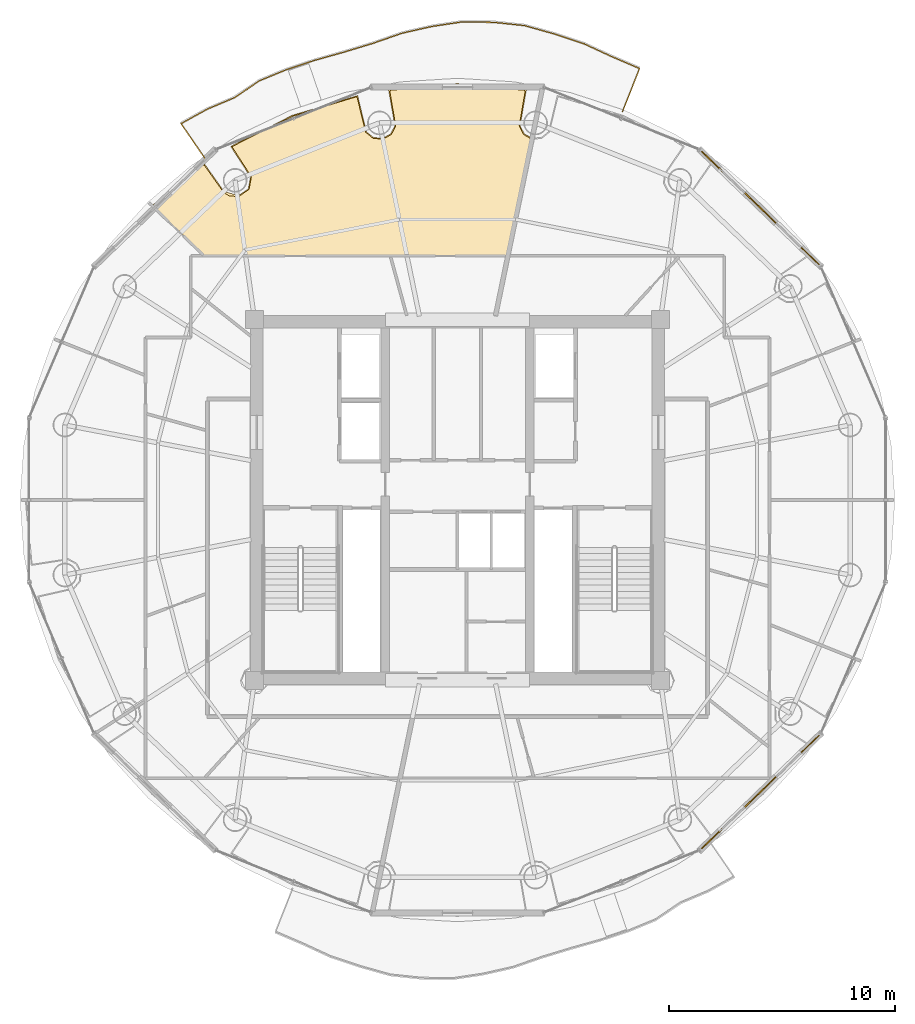
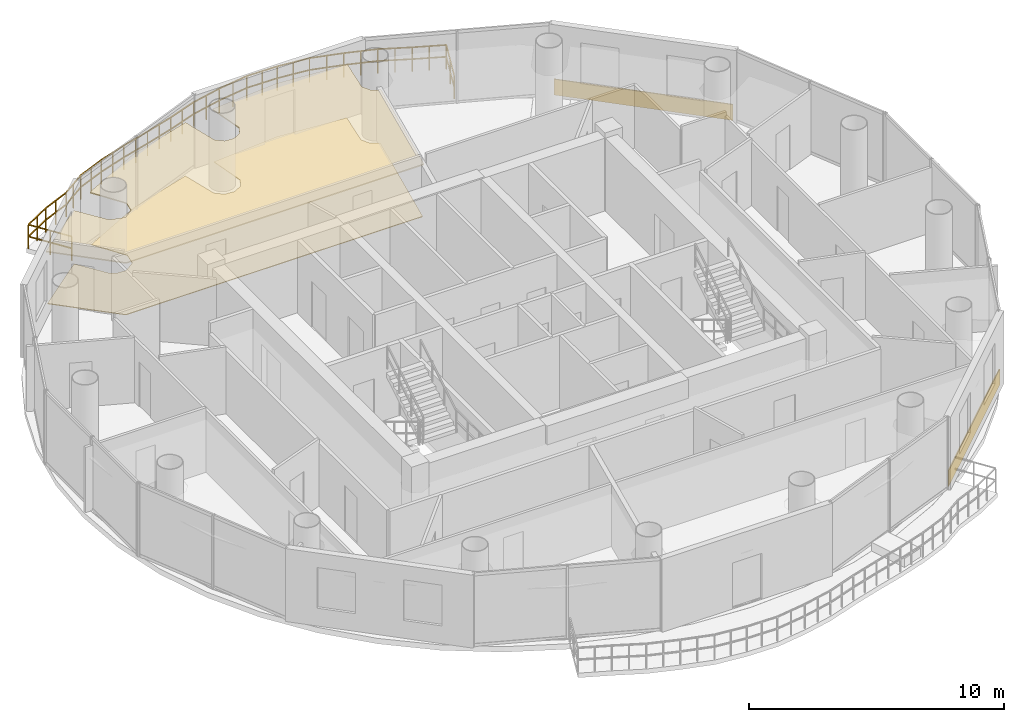
# One storey, part 21 of 21: 4 coverings, 1 railing.
"""IFC4 building model written with IfcOpenShell, lengths in metres."""

from ifc_helpers import new_model, si_unit, direction, frame, origin, origin_2d, place, context, subcontext, project, spatial, polyline, rectangle, outline, extrude, source, transform, mapped, material, layer, layer_set, type_object, element, save


model = new_model("IFC4")

# Units and contexts
model_context = context("Model", 3, precision=1e-05, world=origin(), true_north=direction((-0.2419218956, 0.970295726276)))
body_context = subcontext(model_context, "Body", "Model", "MODEL_VIEW")
ifc_project = project(units=[si_unit("LENGTHUNIT", "METRE"), si_unit("AREAUNIT", "SQUARE_METRE"), si_unit("VOLUMEUNIT", "CUBIC_METRE"), si_unit("PLANEANGLEUNIT", "RADIAN"), si_unit("MASSUNIT", "GRAM", prefix="KILO")], contexts=[model_context])

# Site, building, storey
site_placement = place(None, origin())
site = spatial("IfcSite", under=ifc_project, at=site_placement, CompositionType="ELEMENT")
building_placement = place(site_placement, origin())
building = spatial("IfcBuilding", under=site, at=building_placement, Name="Cobrevalo Terracotta Tower", CompositionType="ELEMENT")
storey_placement = place(building_placement, frame((0.0, 0.0, 285.699951171875)))
storey = spatial("IfcBuildingStorey", under=building, at=storey_placement, Name="L75", CompositionType="ELEMENT", Elevation=285.699951171875)

# Railing
ifc_material_1 = material(Name="Laminated structural glass and stainless steel", Category="steel")
railing_type = type_object("IfcRailingType", Name="Balcony lobe structural glass & terracotta-cap balustrade 1180 mm", PredefinedType="BALUSTRADE", material=ifc_material_1)
railing_placement = place(storey_placement, frame((45.31640625, 44.017333984375, 0.0)))
element("IfcRailing", 1, at=railing_placement, inside=storey, type_object=railing_type, Name="L75 spiralling balcony lobe balustrade 1", PredefinedType="BALUSTRADE", context=body_context, shape_type="SweptSolid", body=[
    extrude(rectangle(XDim=0.048095703125, YDim=0.048095703125, at=origin_2d()), frame((0.0, 0.0, 1.15576171875), z_axis=(0.367382385699, 0.930069988054, 0.0), x_axis=(-0.930069988054, 0.367382385699, 0.0)), (0.0, 0.0, 1.0), 2.06005859375),
    extrude(rectangle(XDim=0.048095703125, YDim=0.048095703125, at=origin_2d()), frame((0.0, 0.0, 0.58984375), z_axis=(0.367382385699, 0.930069988054, 0.0), x_axis=(-0.930069988054, 0.367382385699, 0.0)), (0.0, 0.0, 1.0), 2.06005859375),
    extrude(rectangle(XDim=0.048095703125, YDim=0.048095703125, at=origin_2d()), frame((0.7568359375, 1.916015625, 1.15576171875), z_axis=(-0.919173243354, 0.39385346095, 0.0), x_axis=(-0.39385346095, -0.919173243354, 0.0)), (0.0, 0.0, 1.0), 1.3427734375),
    extrude(rectangle(XDim=0.048095703125, YDim=0.048095703125, at=origin_2d()), frame((0.7568359375, 1.916015625, 0.58984375), z_axis=(-0.919173243354, 0.39385346095, 0.0), x_axis=(-0.39385346095, -0.919173243354, 0.0)), (0.0, 0.0, 1.0), 1.3427734375),
    extrude(rectangle(XDim=0.048095703125, YDim=0.048095703125, at=origin_2d()), frame((-0.477294921875, 2.44482421875, 1.15576171875), z_axis=(-0.907828269728, 0.419342142745, 0.0), x_axis=(-0.419342142745, -0.907828269728, 0.0)), (0.0, 0.0, 1.0), 1.363037109375),
    extrude(rectangle(XDim=0.048095703125, YDim=0.048095703125, at=origin_2d()), frame((-0.477294921875, 2.44482421875, 0.58984375), z_axis=(-0.907828269728, 0.419342142745, 0.0), x_axis=(-0.419342142745, -0.907828269728, 0.0)), (0.0, 0.0, 1.0), 1.363037109375),
    extrude(rectangle(XDim=0.048095703125, YDim=0.048095703125, at=origin_2d()), frame((-1.714599609375, 3.016357421875, 1.15576171875), z_axis=(-0.94932422082, 0.314298462875, 0.0), x_axis=(-0.314298462875, -0.94932422082, 0.0)), (0.0, 0.0, 1.0), 1.3671875),
    extrude(rectangle(XDim=0.048095703125, YDim=0.048095703125, at=origin_2d()), frame((-1.714599609375, 3.016357421875, 0.58984375), z_axis=(-0.94932422082, 0.314298462875, 0.0), x_axis=(-0.314298462875, -0.94932422082, 0.0)), (0.0, 0.0, 1.0), 1.3671875),
    extrude(rectangle(XDim=0.048095703125, YDim=0.048095703125, at=origin_2d()), frame((-3.012451171875, 3.446044921875, 1.15576171875), z_axis=(-0.962619191282, 0.270858436413, 0.0), x_axis=(-0.270858436413, -0.962619191282, 0.0)), (0.0, 0.0, 1.0), 1.378173828125),
    extrude(rectangle(XDim=0.048095703125, YDim=0.048095703125, at=origin_2d()), frame((-3.012451171875, 3.446044921875, 0.58984375), z_axis=(-0.962619191282, 0.270858436413, 0.0), x_axis=(-0.270858436413, -0.962619191282, 0.0)), (0.0, 0.0, 1.0), 1.378173828125),
    extrude(rectangle(XDim=0.048095703125, YDim=0.048095703125, at=origin_2d()), frame((-4.339111328125, 3.8193359375, 1.15576171875), z_axis=(-0.99444006684, 0.105304099935, 0.0), x_axis=(-0.105304099935, -0.99444006684, 0.0)), (0.0, 0.0, 1.0), 1.374755859375),
    extrude(rectangle(XDim=0.048095703125, YDim=0.048095703125, at=origin_2d()), frame((-4.339111328125, 3.8193359375, 0.58984375), z_axis=(-0.99444006684, 0.105304099935, 0.0), x_axis=(-0.105304099935, -0.99444006684, 0.0)), (0.0, 0.0, 1.0), 1.374755859375),
    extrude(rectangle(XDim=0.048095703125, YDim=0.048095703125, at=origin_2d()), frame((-5.706298828125, 3.964111328125, 1.15576171875), z_axis=(-0.999848698205, 0.017394846871, 0.0), x_axis=(-0.017394846871, -0.999848698205, 0.0)), (0.0, 0.0, 1.0), 1.37548828125),
    extrude(rectangle(XDim=0.048095703125, YDim=0.048095703125, at=origin_2d()), frame((-5.706298828125, 3.964111328125, 0.58984375), z_axis=(-0.999848698205, 0.017394846871, 0.0), x_axis=(-0.017394846871, -0.999848698205, 0.0)), (0.0, 0.0, 1.0), 1.37548828125),
    extrude(rectangle(XDim=0.048095703125, YDim=0.048095703125, at=origin_2d()), frame((-7.08154296875, 3.988037109375, 1.15576171875), z_axis=(-0.988981766604, -0.148037378134, 0.0), x_axis=(0.148037378134, -0.988981766604, 0.0)), (0.0, 0.0, 1.0), 1.378662109375),
    extrude(rectangle(XDim=0.048095703125, YDim=0.048095703125, at=origin_2d()), frame((-7.08154296875, 3.988037109375, 0.58984375), z_axis=(-0.988981766604, -0.148037378134, 0.0), x_axis=(0.148037378134, -0.988981766604, 0.0)), (0.0, 0.0, 1.0), 1.378662109375),
    extrude(rectangle(XDim=0.048095703125, YDim=0.048095703125, at=origin_2d()), frame((-8.445068359375, 3.783935546875, 1.15576171875), z_axis=(-0.975256847527, -0.221074832018, 0.0), x_axis=(0.221074832018, -0.975256847527, 0.0)), (0.0, 0.0, 1.0), 1.37158203125),
    extrude(rectangle(XDim=0.048095703125, YDim=0.048095703125, at=origin_2d()), frame((-8.445068359375, 3.783935546875, 0.58984375), z_axis=(-0.975256847527, -0.221074832018, 0.0), x_axis=(0.221074832018, -0.975256847527, 0.0)), (0.0, 0.0, 1.0), 1.37158203125),
    extrude(rectangle(XDim=0.048095703125, YDim=0.048095703125, at=origin_2d()), frame((-9.78271484375, 3.480712890625, 1.15576171875), z_axis=(-0.944419640712, -0.328742364531, 0.0), x_axis=(0.328742364531, -0.944419640712, 0.0)), (0.0, 0.0, 1.0), 1.366455078125),
    extrude(rectangle(XDim=0.048095703125, YDim=0.048095703125, at=origin_2d()), frame((-9.78271484375, 3.480712890625, 0.58984375), z_axis=(-0.944419640712, -0.328742364531, 0.0), x_axis=(0.328742364531, -0.944419640712, 0.0)), (0.0, 0.0, 1.0), 1.366455078125),
    extrude(rectangle(XDim=0.048095703125, YDim=0.048095703125, at=origin_2d()), frame((-11.0732421875, 3.031494140625, 1.15576171875), z_axis=(-0.956916826137, -0.290362166709, 0.0), x_axis=(0.290362166709, -0.956916826137, 0.0)), (0.0, 0.0, 1.0), 1.3369140625),
    extrude(rectangle(XDim=0.048095703125, YDim=0.048095703125, at=origin_2d()), frame((-11.0732421875, 3.031494140625, 0.58984375), z_axis=(-0.956916826137, -0.290362166709, 0.0), x_axis=(0.290362166709, -0.956916826137, 0.0)), (0.0, 0.0, 1.0), 1.3369140625),
    extrude(rectangle(XDim=0.048095703125, YDim=0.048095703125, at=origin_2d()), frame((-12.3525390625, 2.643310546875, 1.15576171875), z_axis=(-0.96277406986, -0.270307399836, 0.0), x_axis=(0.270307399836, -0.96277406986, 0.0)), (0.0, 0.0, 1.0), 1.3232421875),
    extrude(rectangle(XDim=0.048095703125, YDim=0.048095703125, at=origin_2d()), frame((-12.3525390625, 2.643310546875, 0.58984375), z_axis=(-0.96277406986, -0.270307399836, 0.0), x_axis=(0.270307399836, -0.96277406986, 0.0)), (0.0, 0.0, 1.0), 1.3232421875),
    extrude(rectangle(XDim=0.048095703125, YDim=0.048095703125, at=origin_2d()), frame((-13.62646484375, 2.28564453125, 1.15576171875), z_axis=(-0.950201810904, -0.311635233173, 0.0), x_axis=(0.311635233173, -0.950201810904, 0.0)), (0.0, 0.0, 1.0), 1.32470703125),
    extrude(rectangle(XDim=0.048095703125, YDim=0.048095703125, at=origin_2d()), frame((-13.62646484375, 2.28564453125, 0.58984375), z_axis=(-0.950201810904, -0.311635233173, 0.0), x_axis=(0.311635233173, -0.950201810904, 0.0)), (0.0, 0.0, 1.0), 1.32470703125),
    extrude(rectangle(XDim=0.048095703125, YDim=0.048095703125, at=origin_2d()), frame((-14.88525390625, 1.872802734375, 1.15576171875), z_axis=(-0.924444305077, -0.381317094833, 0.0), x_axis=(0.381317094833, -0.924444305077, 0.0)), (0.0, 0.0, 1.0), 1.3203125),
    extrude(rectangle(XDim=0.048095703125, YDim=0.048095703125, at=origin_2d()), frame((-14.88525390625, 1.872802734375, 0.58984375), z_axis=(-0.924444305077, -0.381317094833, 0.0), x_axis=(0.381317094833, -0.924444305077, 0.0)), (0.0, 0.0, 1.0), 1.3203125),
    extrude(rectangle(XDim=0.048095703125, YDim=0.048095703125, at=origin_2d()), frame((-16.105712890625, 1.369384765625, 1.15576171875), z_axis=(-0.827247273799, -0.561838008675, 0.0), x_axis=(0.561838008675, -0.827247273799, 0.0)), (0.0, 0.0, 1.0), 1.330078125),
    extrude(rectangle(XDim=0.048095703125, YDim=0.048095703125, at=origin_2d()), frame((-16.105712890625, 1.369384765625, 0.58984375), z_axis=(-0.827247273799, -0.561838008675, 0.0), x_axis=(0.561838008675, -0.827247273799, 0.0)), (0.0, 0.0, 1.0), 1.330078125),
    extrude(rectangle(XDim=0.048095703125, YDim=0.048095703125, at=origin_2d()), frame((-17.2060546875, 0.6220703125, 1.15576171875), z_axis=(-0.921478248094, -0.388429965746, 0.0), x_axis=(0.388429965746, -0.921478248094, 0.0)), (0.0, 0.0, 1.0), 1.31689453125),
    extrude(rectangle(XDim=0.048095703125, YDim=0.048095703125, at=origin_2d()), frame((-17.2060546875, 0.6220703125, 0.58984375), z_axis=(-0.921478248094, -0.388429965746, 0.0), x_axis=(0.388429965746, -0.921478248094, 0.0)), (0.0, 0.0, 1.0), 1.31689453125),
    extrude(rectangle(XDim=0.048095703125, YDim=0.048095703125, at=origin_2d()), frame((-18.41943359375, 0.110595703125, 1.15576171875), z_axis=(-0.875159072129, -0.483835300976, 0.0), x_axis=(0.483835300976, -0.875159072129, 0.0)), (0.0, 0.0, 1.0), 1.319580078125),
    extrude(rectangle(XDim=0.048095703125, YDim=0.048095703125, at=origin_2d()), frame((-18.41943359375, 0.110595703125, 0.58984375), z_axis=(-0.875159072129, -0.483835300976, 0.0), x_axis=(0.483835300976, -0.875159072129, 0.0)), (0.0, 0.0, 1.0), 1.319580078125),
    extrude(rectangle(XDim=0.048095703125, YDim=0.048095703125, at=origin_2d()), frame((-19.57421875, -0.52783203125, 1.15576171875), z_axis=(0.566320663632, -0.824184994976, 0.0), x_axis=(0.824184994976, 0.566320663632, 0.0)), (0.0, 0.0, 1.0), 1.8916015625),
    extrude(rectangle(XDim=0.048095703125, YDim=0.048095703125, at=origin_2d()), frame((-19.57421875, -0.52783203125, 0.58984375), z_axis=(0.566320663632, -0.824184994976, 0.0), x_axis=(0.824184994976, 0.566320663632, 0.0)), (0.0, 0.0, 1.0), 1.8916015625),
    extrude(rectangle(XDim=0.0419921875, YDim=0.0419921875, at=origin_2d()), origin(), (0.0, 0.0, 1.0), 1.1318359375),
    extrude(rectangle(XDim=0.0419921875, YDim=0.0419921875, at=origin_2d()), frame((0.37841796875, 0.9580078125, 0.0)), (0.0, 0.0, 1.0), 1.1318359375),
    extrude(rectangle(XDim=0.0419921875, YDim=0.0419921875, at=origin_2d()), frame((0.7568359375, 1.916015625, 0.0)), (0.0, 0.0, 1.0), 1.1318359375),
    extrude(rectangle(XDim=0.0419921875, YDim=0.0419921875, at=origin_2d()), frame((0.1396484375, 2.180419921875, 0.0)), (0.0, 0.0, 1.0), 1.1318359375),
    extrude(rectangle(XDim=0.0419921875, YDim=0.0419921875, at=origin_2d()), frame((-0.477294921875, 2.44482421875, 0.0)), (0.0, 0.0, 1.0), 1.1318359375),
    extrude(rectangle(XDim=0.0419921875, YDim=0.0419921875, at=origin_2d()), frame((-1.095947265625, 2.73046875, 0.0)), (0.0, 0.0, 1.0), 1.1318359375),
    extrude(rectangle(XDim=0.0419921875, YDim=0.0419921875, at=origin_2d()), frame((-1.714599609375, 3.016357421875, 0.0)), (0.0, 0.0, 1.0), 1.1318359375),
    extrude(rectangle(XDim=0.0419921875, YDim=0.0419921875, at=origin_2d()), frame((-2.363525390625, 3.231201171875, 0.0)), (0.0, 0.0, 1.0), 1.1318359375),
    extrude(rectangle(XDim=0.0419921875, YDim=0.0419921875, at=origin_2d()), frame((-3.012451171875, 3.446044921875, 0.0)), (0.0, 0.0, 1.0), 1.1318359375),
    extrude(rectangle(XDim=0.0419921875, YDim=0.0419921875, at=origin_2d()), frame((-3.67578125, 3.6328125, 0.0)), (0.0, 0.0, 1.0), 1.1318359375),
    extrude(rectangle(XDim=0.0419921875, YDim=0.0419921875, at=origin_2d()), frame((-4.339111328125, 3.8193359375, 0.0)), (0.0, 0.0, 1.0), 1.1318359375),
    extrude(rectangle(XDim=0.0419921875, YDim=0.0419921875, at=origin_2d()), frame((-5.022705078125, 3.8916015625, 0.0)), (0.0, 0.0, 1.0), 1.1318359375),
    extrude(rectangle(XDim=0.0419921875, YDim=0.0419921875, at=origin_2d()), frame((-5.706298828125, 3.964111328125, 0.0)), (0.0, 0.0, 1.0), 1.1318359375),
    extrude(rectangle(XDim=0.0419921875, YDim=0.0419921875, at=origin_2d()), frame((-6.39404296875, 3.97607421875, 0.0)), (0.0, 0.0, 1.0), 1.1318359375),
    extrude(rectangle(XDim=0.0419921875, YDim=0.0419921875, at=origin_2d()), frame((-7.08154296875, 3.988037109375, 0.0)), (0.0, 0.0, 1.0), 1.1318359375),
    extrude(rectangle(XDim=0.0419921875, YDim=0.0419921875, at=origin_2d()), frame((-7.76318359375, 3.885986328125, 0.0)), (0.0, 0.0, 1.0), 1.1318359375),
    extrude(rectangle(XDim=0.0419921875, YDim=0.0419921875, at=origin_2d()), frame((-8.445068359375, 3.783935546875, 0.0)), (0.0, 0.0, 1.0), 1.1318359375),
    extrude(rectangle(XDim=0.0419921875, YDim=0.0419921875, at=origin_2d()), frame((-9.11376953125, 3.63232421875, 0.0)), (0.0, 0.0, 1.0), 1.1318359375),
    extrude(rectangle(XDim=0.0419921875, YDim=0.0419921875, at=origin_2d()), frame((-9.78271484375, 3.480712890625, 0.0)), (0.0, 0.0, 1.0), 1.1318359375),
    extrude(rectangle(XDim=0.0419921875, YDim=0.0419921875, at=origin_2d()), frame((-10.427978515625, 3.256103515625, 0.0)), (0.0, 0.0, 1.0), 1.1318359375),
    extrude(rectangle(XDim=0.0419921875, YDim=0.0419921875, at=origin_2d()), frame((-11.0732421875, 3.031494140625, 0.0)), (0.0, 0.0, 1.0), 1.1318359375),
    extrude(rectangle(XDim=0.0419921875, YDim=0.0419921875, at=origin_2d()), frame((-11.712890625, 2.83740234375, 0.0)), (0.0, 0.0, 1.0), 1.1318359375),
    extrude(rectangle(XDim=0.0419921875, YDim=0.0419921875, at=origin_2d()), frame((-12.3525390625, 2.643310546875, 0.0)), (0.0, 0.0, 1.0), 1.1318359375),
    extrude(rectangle(XDim=0.0419921875, YDim=0.0419921875, at=origin_2d()), frame((-12.989501953125, 2.46435546875, 0.0)), (0.0, 0.0, 1.0), 1.1318359375),
    extrude(rectangle(XDim=0.0419921875, YDim=0.0419921875, at=origin_2d()), frame((-13.62646484375, 2.28564453125, 0.0)), (0.0, 0.0, 1.0), 1.1318359375),
    extrude(rectangle(XDim=0.0419921875, YDim=0.0419921875, at=origin_2d()), frame((-14.255859375, 2.0791015625, 0.0)), (0.0, 0.0, 1.0), 1.1318359375),
    extrude(rectangle(XDim=0.0419921875, YDim=0.0419921875, at=origin_2d()), frame((-14.88525390625, 1.872802734375, 0.0)), (0.0, 0.0, 1.0), 1.1318359375),
    extrude(rectangle(XDim=0.0419921875, YDim=0.0419921875, at=origin_2d()), frame((-15.49560546875, 1.62109375, 0.0)), (0.0, 0.0, 1.0), 1.1318359375),
    extrude(rectangle(XDim=0.0419921875, YDim=0.0419921875, at=origin_2d()), frame((-16.105712890625, 1.369384765625, 0.0)), (0.0, 0.0, 1.0), 1.1318359375),
    extrude(rectangle(XDim=0.0419921875, YDim=0.0419921875, at=origin_2d()), frame((-16.65576171875, 0.99560546875, 0.0)), (0.0, 0.0, 1.0), 1.1318359375),
    extrude(rectangle(XDim=0.0419921875, YDim=0.0419921875, at=origin_2d()), frame((-17.2060546875, 0.6220703125, 0.0)), (0.0, 0.0, 1.0), 1.1318359375),
    extrude(rectangle(XDim=0.0419921875, YDim=0.0419921875, at=origin_2d()), frame((-17.812744140625, 0.3662109375, 0.0)), (0.0, 0.0, 1.0), 1.1318359375),
    extrude(rectangle(XDim=0.0419921875, YDim=0.0419921875, at=origin_2d()), frame((-18.41943359375, 0.110595703125, 0.0)), (0.0, 0.0, 1.0), 1.1318359375),
    extrude(rectangle(XDim=0.0419921875, YDim=0.0419921875, at=origin_2d()), frame((-18.996826171875, -0.20849609375, 0.0)), (0.0, 0.0, 1.0), 1.1318359375),
    extrude(rectangle(XDim=0.0419921875, YDim=0.0419921875, at=origin_2d()), frame((-19.57421875, -0.52783203125, 0.0)), (0.0, 0.0, 1.0), 1.1318359375),
    extrude(rectangle(XDim=0.0419921875, YDim=0.0419921875, at=origin_2d()), frame((-19.03857421875, -1.307373046875, 0.0)), (0.0, 0.0, 1.0), 1.1318359375),
    extrude(rectangle(XDim=0.0419921875, YDim=0.0419921875, at=origin_2d()), frame((-18.5029296875, -2.0869140625, 0.0)), (0.0, 0.0, 1.0), 1.1318359375),
])

# Coverings
ifc_material_2 = material(Name="Engineered Brazilian hardwood flooring", Category="wood")
ifc_layer_1 = layer(ifc_material_2, 0.028076171875)
ifc_layer_set_1 = layer_set([ifc_layer_1], Name="Engineered Brazilian hardwood flooring")
covering_type_1 = type_object("IfcCoveringType", Name="Engineered Hardwood Suite Flooring 28", PredefinedType="FLOORING", material=ifc_layer_set_1)
covering_1_placement = place(storey_placement, origin())
element("IfcCovering", 2, at=covering_1_placement, inside=storey, type_object=covering_type_1, Name="Flat L75A Penthouse Living and Dining Room floor finish", PredefinedType="FLOORING", context=body_context, shape_type="SweptSolid", body=[
    extrude(outline(polyline([(26.756103515625, 41.668212890625), (27.625244140625, 40.443603515625), (27.8681640625, 40.28759765625), (28.296630859375, 40.25341796875), (28.761474609375, 40.576904296875), (28.861572265625, 41.134521484375), (28.00146484375, 42.4697265625), (30.682861328125, 43.817626953125), (33.54052734375, 44.68603515625), (33.925048828125, 43.1064453125), (34.25927734375, 42.83642578125), (34.687255859375, 42.797607421875), (35.064453125, 43.003173828125), (35.26416015625, 43.3837890625), (34.994140625, 44.964599609375), (38.0, 45.219970703125), (41.005859375, 44.964599609375), (40.73583984375, 43.3837890625), (40.935546875, 43.003173828125), (41.28271484375, 42.80712890625), (40.217529296875, 37.64501953125), (26.77783203125, 37.64501953125), (24.49951171875, 39.841064453125), (26.756103515625, 41.668212890625)])), origin(), (0.0, 0.0, 1.0), 0.030029296875),
])
ifc_material_3 = material(Name="Acoustic perforated gypsum ceiling", Category="gypsum")
ifc_layer_2 = layer(ifc_material_3, 0.050048828125)
ifc_layer_set_2 = layer_set([ifc_layer_2], Name="Acoustic perforated gypsum ceiling")
covering_type_2 = type_object("IfcCoveringType", Name="Perforated Acoustic Gypsum Ceiling 50", PredefinedType="CEILING", material=ifc_layer_set_2)
covering_2_placement = place(storey_placement, frame((0.0, 0.0, 2.5)))
element("IfcCovering", 3, at=covering_2_placement, inside=storey, type_object=covering_type_2, Name="Flat L75A Penthouse Living and Dining Room acoustic ceiling", PredefinedType="CEILING", context=body_context, shape_type="SweptSolid", body=[
    extrude(outline(polyline([(26.768310546875, 41.7294921875), (27.656494140625, 40.47607421875), (28.286865234375, 40.297607421875), (28.7236328125, 40.601318359375), (28.8173828125, 41.124755859375), (27.937744140625, 42.482421875), (30.666259765625, 43.859619140625), (33.575439453125, 44.738525390625), (33.96240234375, 43.1318359375), (34.2763671875, 42.87841796875), (34.677978515625, 42.842041015625), (35.0322265625, 43.034912109375), (35.2197265625, 43.39208984375), (34.94091796875, 45.000244140625), (38.0, 45.26513671875), (41.05908203125, 45.000244140625), (40.7802734375, 43.39208984375), (40.9677734375, 43.034912109375), (41.3349609375, 42.837890625), (40.254150390625, 37.60009765625), (26.759765625, 37.60009765625), (24.432373046875, 39.84326171875), (26.768310546875, 41.7294921875)])), origin(), (0.0, 0.0, 1.0), 0.050048828125),
])
ifc_material_4 = material(Name="Glazed terracotta facade cladding tile", Category="masonry")
ifc_layer_3 = layer(ifc_material_4, 0.044921875)
ifc_layer_set_3 = layer_set([ifc_layer_3], Name="Glazed terracotta facade cladding tile")
covering_type_3 = type_object("IfcCoveringType", Name="Architectural terracotta rainscreen spandrel cladding 45 mm", PredefinedType="CLADDING", material=ifc_layer_set_3)
shared_shape = source(origin(), body_context, "Body", "SweptSolid", [
    extrude(rectangle(XDim=7.222412109375, YDim=0.044921875, at=origin_2d()), origin(), (0.0, 0.0, 1.0), 0.760009765625),
])
for number, where, z_axis, x_axis, name in (
    (4, (51.43359375, 39.748046875, 0.0400390625), (0.0, 0.0, 1.0), (-0.719996603293, 0.693977586992, 0.0), "L75 terracotta spandrel cladding S02"),
    (5, (51.43359375, 13.85205078125, 0.0400390625), (0.0, 0.0, 1.0), (0.719996603293, 0.693977586992, 0.0), "L75 terracotta spandrel cladding S14"),
):
    element("IfcCovering", number, at=place(storey_placement, frame(where, z_axis=z_axis, x_axis=x_axis)), inside=storey, type_object=covering_type_3, Name=name, PredefinedType="CLADDING", context=body_context, shape_type="MappedRepresentation", body=[
        mapped(shared_shape, transform((0.0, 0.0, 0.0), scale=1.0)),
    ])

save(model, "model.ifc")
